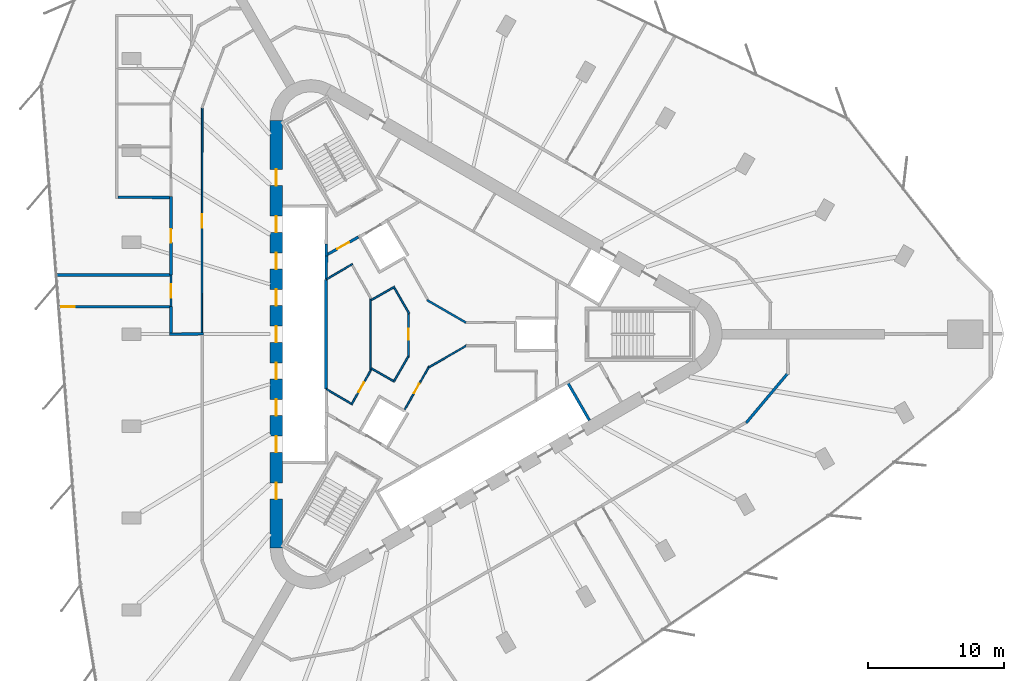
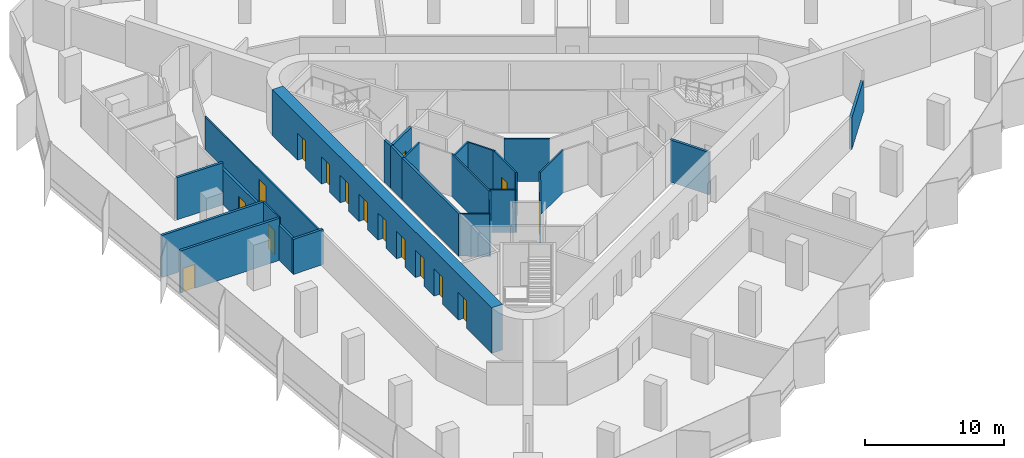
# One storey, part 9 of 13: 27 walls, 17 doors, 17 openings.
"""IFC4 building model written with IfcOpenShell, lengths in metres."""

from ifc_helpers import new_model, si_unit, direction, frame, frame_2d, origin, place, context, subcontext, project, spatial, rectangle, extrude, material, layer, layer_set, type_object, element, fill, save


model = new_model("IFC4")

# Units and contexts
model_context = context("Model", 3, precision=1e-05, world=origin(), true_north=direction((0.0, 1.0)))
body_context = subcontext(model_context, "Body", "Model", "MODEL_VIEW")
ifc_project = project(units=[si_unit("LENGTHUNIT", "METRE"), si_unit("AREAUNIT", "SQUARE_METRE"), si_unit("VOLUMEUNIT", "CUBIC_METRE"), si_unit("PLANEANGLEUNIT", "RADIAN"), si_unit("MASSUNIT", "GRAM", prefix="KILO")], contexts=[model_context])

# Site, building, storey
site_placement = place(None, origin())
site = spatial("IfcSite", under=ifc_project, at=site_placement, CompositionType="ELEMENT")
building_placement = place(site_placement, origin())
building = spatial("IfcBuilding", under=site, at=building_placement, Name="Tanit Gate Tower", CompositionType="ELEMENT")
storey_placement = place(building_placement, frame((0.0, 0.0, 201.199951171875)))
storey = spatial("IfcBuildingStorey", under=building, at=storey_placement, Name="L44", CompositionType="ELEMENT", Elevation=201.199951171875)

# Wall, openings, doors
ifc_material_1 = material(Name="Concrete C50/60", Category="concrete")
ifc_layer_1 = layer(ifc_material_1, 0.89990234375)
ifc_layer_set_1 = layer_set([ifc_layer_1], Name="CORE WALL 900 C50/60")
wall_type_1 = type_object("IfcWallType", Name="CORE WALL 900 C50/60", PredefinedType="SHEAR", material=ifc_layer_set_1)
wall_1_placement = place(storey_placement, frame((-11.64990234375, 15.76171875, 0.0), z_axis=(0.0, 0.0, 1.0), x_axis=(0.0, -1.0, 0.0)))
wall_1 = element("IfcWall", 1, at=wall_1_placement, inside=storey, type_object=wall_type_1, Name="CORE WALL", PredefinedType="SHEAR", context=body_context, shape_type="SweptSolid", body=[
    extrude(rectangle(XDim=31.5234375, YDim=0.89990234375, at=frame_2d((15.76171875, 0.0))), origin(), (0.0, 0.0, 1.0), 4.0),
])
opening_1_placement = place(wall_1_placement, frame((7.061767578125, 0.0, 0.0)))
opening_1 = element("IfcOpeningElement", 2, at=opening_1_placement, cuts=wall_1, Name="Opening LDML1-S11", PredefinedType="OPENING", context=body_context, shape_type="SweptSolid", body=[
    extrude(rectangle(XDim=1.199951171875, YDim=2.39990234375, at=frame_2d((0.60009765625, 1.199951171875))), frame((0.0, 0.4599609375, 0.0), z_axis=(0.0, -1.0, 0.0), x_axis=(1.0, 0.0, 0.0)), (0.0, 0.0, 1.0), 0.919921875),
])
opening_2_placement = place(wall_1_placement, frame((9.76171875, 0.0, 0.0)))
opening_2 = element("IfcOpeningElement", 3, at=opening_2_placement, cuts=wall_1, Name="Opening LDML2-S11", PredefinedType="OPENING", context=body_context, shape_type="SweptSolid", body=[
    extrude(rectangle(XDim=1.199951171875, YDim=2.39990234375, at=frame_2d((0.60009765625, 1.199951171875))), frame((0.0, 0.4599609375, 0.0), z_axis=(0.0, -1.0, 0.0), x_axis=(1.0, 0.0, 0.0)), (0.0, 0.0, 1.0), 0.919921875),
])
opening_3_placement = place(wall_1_placement, frame((12.461669921875, 0.0, 0.0)))
opening_3 = element("IfcOpeningElement", 4, at=opening_3_placement, cuts=wall_1, Name="Opening LDML3-S11", PredefinedType="OPENING", context=body_context, shape_type="SweptSolid", body=[
    extrude(rectangle(XDim=1.199951171875, YDim=2.39990234375, at=frame_2d((0.60009765625, 1.199951171875))), frame((0.0, 0.4599609375, 0.0), z_axis=(0.0, -1.0, 0.0), x_axis=(1.0, 0.0, 0.0)), (0.0, 0.0, 1.0), 0.919921875),
])
opening_4_placement = place(wall_1_placement, frame((15.16162109375, 0.0, 0.0)))
opening_4 = element("IfcOpeningElement", 5, at=opening_4_placement, cuts=wall_1, Name="Opening LDML4-S11", PredefinedType="OPENING", context=body_context, shape_type="SweptSolid", body=[
    extrude(rectangle(XDim=1.199951171875, YDim=2.39990234375, at=frame_2d((0.60009765625, 1.199951171875))), frame((0.0, 0.4599609375, 0.0), z_axis=(0.0, -1.0, 0.0), x_axis=(1.0, 0.0, 0.0)), (0.0, 0.0, 1.0), 0.919921875),
])
opening_5_placement = place(wall_1_placement, frame((17.86181640625, 0.0, 0.0)))
opening_5 = element("IfcOpeningElement", 6, at=opening_5_placement, cuts=wall_1, Name="Opening LDML5-S11", PredefinedType="OPENING", context=body_context, shape_type="SweptSolid", body=[
    extrude(rectangle(XDim=1.199951171875, YDim=2.39990234375, at=frame_2d((0.60009765625, 1.199951171875))), frame((0.0, 0.4599609375, 0.0), z_axis=(0.0, -1.0, 0.0), x_axis=(1.0, 0.0, 0.0)), (0.0, 0.0, 1.0), 0.919921875),
])
opening_6_placement = place(wall_1_placement, frame((20.561767578125, 0.0, 0.0)))
opening_6 = element("IfcOpeningElement", 7, at=opening_6_placement, cuts=wall_1, Name="Opening LDML6-S11", PredefinedType="OPENING", context=body_context, shape_type="SweptSolid", body=[
    extrude(rectangle(XDim=1.199951171875, YDim=2.39990234375, at=frame_2d((0.60009765625, 1.199951171875))), frame((0.0, 0.4599609375, 0.0), z_axis=(0.0, -1.0, 0.0), x_axis=(1.0, 0.0, 0.0)), (0.0, 0.0, 1.0), 0.919921875),
])
opening_7_placement = place(wall_1_placement, frame((23.26171875, 0.0, 0.0)))
opening_7 = element("IfcOpeningElement", 8, at=opening_7_placement, cuts=wall_1, Name="Opening LDML7-S11", PredefinedType="OPENING", context=body_context, shape_type="SweptSolid", body=[
    extrude(rectangle(XDim=1.199951171875, YDim=2.39990234375, at=frame_2d((0.60009765625, 1.199951171875))), frame((0.0, 0.4599609375, 0.0), z_axis=(0.0, -1.0, 0.0), x_axis=(1.0, 0.0, 0.0)), (0.0, 0.0, 1.0), 0.919921875),
])
opening_8_placement = place(wall_1_placement, frame((3.61181640625, 0.0, 0.0)))
opening_8 = element("IfcOpeningElement", 9, at=opening_8_placement, cuts=wall_1, Name="Opening F12-S11-FL2", PredefinedType="OPENING", context=body_context, shape_type="SweptSolid", body=[
    extrude(rectangle(XDim=1.199951171875, YDim=2.39990234375, at=frame_2d((0.60009765625, 1.199951171875))), frame((0.0, 0.4599609375, 0.0), z_axis=(0.0, -1.0, 0.0), x_axis=(1.0, 0.0, 0.0)), (0.0, 0.0, 1.0), 0.919921875),
])
opening_9_placement = place(wall_1_placement, frame((26.711669921875, 0.0, 0.0)))
opening_9 = element("IfcOpeningElement", 10, at=opening_9_placement, cuts=wall_1, Name="Opening F12-S11-S3", PredefinedType="OPENING", context=body_context, shape_type="SweptSolid", body=[
    extrude(rectangle(XDim=1.199951171875, YDim=2.39990234375, at=frame_2d((0.60009765625, 1.199951171875))), frame((0.0, 0.4599609375, 0.0), z_axis=(0.0, -1.0, 0.0), x_axis=(1.0, 0.0, 0.0)), (0.0, 0.0, 1.0), 0.919921875),
])
ifc_material_2 = material(Name="Fire-rated steel door leaf", Category="steel")
door_type_1 = type_object("IfcDoorType", Name="INT-DOOR-FIRE-LOBBY-1200", OperationType="NOTDEFINED", PredefinedType="USERDEFINED", material=ifc_material_2)
door_1_placement = place(opening_8_placement, origin())
door_1 = element("IfcDoor", 11, at=door_1_placement, inside=storey, type_object=door_type_1, Name="Door F12-S11-FL2", ObjectType="FIRE DOOR", OperationType="SINGLE_SWING_LEFT", OverallHeight=2.39990234375, OverallWidth=1.199951171875, PredefinedType="USERDEFINED", context=body_context, shape_type="SweptSolid", body=[
    extrude(rectangle(XDim=1.199951171875, YDim=2.39990234375, at=frame_2d((0.60009765625, 1.199951171875))), frame((0.0, 0.02490234375, 0.0), z_axis=(0.0, -1.0, 0.0), x_axis=(1.0, 0.0, 0.0)), (0.0, 0.0, 1.0), 0.050048828125),
])
fill(opening_8, door_1)
door_2_placement = place(opening_9_placement, origin())
door_2 = element("IfcDoor", 12, at=door_2_placement, inside=storey, type_object=door_type_1, Name="Door F12-S11-S3", ObjectType="FIRE DOOR", OperationType="SINGLE_SWING_RIGHT", OverallHeight=2.39990234375, OverallWidth=1.199951171875, PredefinedType="USERDEFINED", context=body_context, shape_type="SweptSolid", body=[
    extrude(rectangle(XDim=1.199951171875, YDim=2.39990234375, at=frame_2d((0.60009765625, 1.199951171875))), frame((0.0, 0.02490234375, 0.0), z_axis=(0.0, -1.0, 0.0), x_axis=(1.0, 0.0, 0.0)), (0.0, 0.0, 1.0), 0.050048828125),
])
fill(opening_9, door_2)
ifc_material_3 = material(Name="Stainless steel sliding door leaf", Category="steel")
door_type_2 = type_object("IfcDoorType", Name="INT-DOOR-LANDING-1200", OperationType="NOTDEFINED", PredefinedType="USERDEFINED", material=ifc_material_3)
door_3_placement = place(opening_1_placement, origin())
door_3 = element("IfcDoor", 13, at=door_3_placement, inside=storey, type_object=door_type_2, Name="Door LDML1-S11", ObjectType="LANDING DOOR", OperationType="SLIDING_TO_LEFT", OverallHeight=2.39990234375, OverallWidth=1.199951171875, PredefinedType="USERDEFINED", context=body_context, shape_type="SweptSolid", body=[
    extrude(rectangle(XDim=1.199951171875, YDim=2.39990234375, at=frame_2d((0.60009765625, 1.199951171875))), frame((0.0, 0.02490234375, 0.0), z_axis=(0.0, -1.0, 0.0), x_axis=(1.0, 0.0, 0.0)), (0.0, 0.0, 1.0), 0.050048828125),
])
fill(opening_1, door_3)
door_4_placement = place(opening_2_placement, origin())
door_4 = element("IfcDoor", 14, at=door_4_placement, inside=storey, type_object=door_type_2, Name="Door LDML2-S11", ObjectType="LANDING DOOR", OperationType="SLIDING_TO_LEFT", OverallHeight=2.39990234375, OverallWidth=1.199951171875, PredefinedType="USERDEFINED", context=body_context, shape_type="SweptSolid", body=[
    extrude(rectangle(XDim=1.199951171875, YDim=2.39990234375, at=frame_2d((0.60009765625, 1.199951171875))), frame((0.0, 0.02490234375, 0.0), z_axis=(0.0, -1.0, 0.0), x_axis=(1.0, 0.0, 0.0)), (0.0, 0.0, 1.0), 0.050048828125),
])
fill(opening_2, door_4)
door_5_placement = place(opening_3_placement, origin())
door_5 = element("IfcDoor", 15, at=door_5_placement, inside=storey, type_object=door_type_2, Name="Door LDML3-S11", ObjectType="LANDING DOOR", OperationType="SLIDING_TO_LEFT", OverallHeight=2.39990234375, OverallWidth=1.199951171875, PredefinedType="USERDEFINED", context=body_context, shape_type="SweptSolid", body=[
    extrude(rectangle(XDim=1.199951171875, YDim=2.39990234375, at=frame_2d((0.60009765625, 1.199951171875))), frame((0.0, 0.02490234375, 0.0), z_axis=(0.0, -1.0, 0.0), x_axis=(1.0, 0.0, 0.0)), (0.0, 0.0, 1.0), 0.050048828125),
])
fill(opening_3, door_5)
door_6_placement = place(opening_4_placement, origin())
door_6 = element("IfcDoor", 16, at=door_6_placement, inside=storey, type_object=door_type_2, Name="Door LDML4-S11", ObjectType="LANDING DOOR", OperationType="SLIDING_TO_LEFT", OverallHeight=2.39990234375, OverallWidth=1.199951171875, PredefinedType="USERDEFINED", context=body_context, shape_type="SweptSolid", body=[
    extrude(rectangle(XDim=1.199951171875, YDim=2.39990234375, at=frame_2d((0.60009765625, 1.199951171875))), frame((0.0, 0.02490234375, 0.0), z_axis=(0.0, -1.0, 0.0), x_axis=(1.0, 0.0, 0.0)), (0.0, 0.0, 1.0), 0.050048828125),
])
fill(opening_4, door_6)
door_7_placement = place(opening_5_placement, origin())
door_7 = element("IfcDoor", 17, at=door_7_placement, inside=storey, type_object=door_type_2, Name="Door LDML5-S11", ObjectType="LANDING DOOR", OperationType="SLIDING_TO_LEFT", OverallHeight=2.39990234375, OverallWidth=1.199951171875, PredefinedType="USERDEFINED", context=body_context, shape_type="SweptSolid", body=[
    extrude(rectangle(XDim=1.199951171875, YDim=2.39990234375, at=frame_2d((0.60009765625, 1.199951171875))), frame((0.0, 0.02490234375, 0.0), z_axis=(0.0, -1.0, 0.0), x_axis=(1.0, 0.0, 0.0)), (0.0, 0.0, 1.0), 0.050048828125),
])
fill(opening_5, door_7)
door_8_placement = place(opening_6_placement, origin())
door_8 = element("IfcDoor", 18, at=door_8_placement, inside=storey, type_object=door_type_2, Name="Door LDML6-S11", ObjectType="LANDING DOOR", OperationType="SLIDING_TO_LEFT", OverallHeight=2.39990234375, OverallWidth=1.199951171875, PredefinedType="USERDEFINED", context=body_context, shape_type="SweptSolid", body=[
    extrude(rectangle(XDim=1.199951171875, YDim=2.39990234375, at=frame_2d((0.60009765625, 1.199951171875))), frame((0.0, 0.02490234375, 0.0), z_axis=(0.0, -1.0, 0.0), x_axis=(1.0, 0.0, 0.0)), (0.0, 0.0, 1.0), 0.050048828125),
])
fill(opening_6, door_8)
door_9_placement = place(opening_7_placement, origin())
door_9 = element("IfcDoor", 19, at=door_9_placement, inside=storey, type_object=door_type_2, Name="Door LDML7-S11", ObjectType="LANDING DOOR", OperationType="SLIDING_TO_LEFT", OverallHeight=2.39990234375, OverallWidth=1.199951171875, PredefinedType="USERDEFINED", context=body_context, shape_type="SweptSolid", body=[
    extrude(rectangle(XDim=1.199951171875, YDim=2.39990234375, at=frame_2d((0.60009765625, 1.199951171875))), frame((0.0, 0.02490234375, 0.0), z_axis=(0.0, -1.0, 0.0), x_axis=(1.0, 0.0, 0.0)), (0.0, 0.0, 1.0), 0.050048828125),
])
fill(opening_7, door_9)

# Wall, opening, door
ifc_material_4 = material(Name="Fire-rated gypsum board partition")
ifc_layer_2 = layer(ifc_material_4, 0.199951171875)
ifc_layer_set_2 = layer_set([ifc_layer_2], Name="INT-WALL-COMPARTMENT")
wall_type_2 = type_object("IfcWallType", Name="INT-WALL-COMPARTMENT", PredefinedType="PARTITIONING", material=ifc_layer_set_2)
wall_2_placement = place(storey_placement, frame((-5.600341796875, 7.16015625, 0.0), z_axis=(0.0, 0.0, 1.0), x_axis=(-0.871363259478, -0.490638431059, 0.0)))
wall_2 = element("IfcWall", 20, at=wall_2_placement, inside=storey, type_object=wall_type_2, Name="Wall Compartment W060", PredefinedType="PARTITIONING", context=body_context, shape_type="SweptSolid", body=[
    extrude(rectangle(XDim=2.5810546875, YDim=0.199951171875, at=frame_2d((1.29052734375, 0.0))), origin(), (0.0, 0.0, 1.0), 3.699951171875),
])
opening_10_placement = place(wall_2_placement, frame((0.79052734375, 0.0, 0.0)))
opening_10 = element("IfcOpeningElement", 21, at=opening_10_placement, cuts=wall_2, Name="Opening F10-S11-05", PredefinedType="OPENING", context=body_context, shape_type="SweptSolid", body=[
    extrude(rectangle(XDim=1.0, YDim=2.10009765625, at=frame_2d((0.5, 1.050048828125))), frame((0.0, 0.10986328125, 0.0), z_axis=(0.0, -1.0, 0.0), x_axis=(1.0, 0.0, 0.0)), (0.0, 0.0, 1.0), 0.219970703125),
])
ifc_material_5 = material(Name="Fire-rated steel door leaf", Category="steel")
door_type_3 = type_object("IfcDoorType", Name="INT-DOOR-FIRE-1000", OperationType="NOTDEFINED", PredefinedType="USERDEFINED", material=ifc_material_5)
door_10_placement = place(opening_10_placement, origin())
door_10 = element("IfcDoor", 22, at=door_10_placement, inside=storey, type_object=door_type_3, Name="Door F10-S11-05", ObjectType="FIRE DOOR", OperationType="SINGLE_SWING_LEFT", OverallHeight=2.10009765625, OverallWidth=1.0, PredefinedType="USERDEFINED", context=body_context, shape_type="SweptSolid", body=[
    extrude(rectangle(XDim=1.0, YDim=2.10009765625, at=frame_2d((0.5, 1.050048828125))), frame((0.0, 0.02490234375, 0.0), z_axis=(0.0, -1.0, 0.0), x_axis=(1.0, 0.0, 0.0)), (0.0, 0.0, 1.0), 0.050048828125),
])
fill(opening_10, door_10)

# Wall
wall_3_placement = place(storey_placement, frame((-19.5, -0.001220703125, 0.0), z_axis=(0.0, 0.0, 1.0), x_axis=(0.999915662945, 0.012987185857, 0.0)))
element("IfcWall", 23, at=wall_3_placement, inside=storey, type_object=wall_type_2, Name="Wall Compartment W086", PredefinedType="PARTITIONING", context=body_context, shape_type="SweptSolid", body=[
    extrude(rectangle(XDim=2.500244140625, YDim=0.199951171875, at=frame_2d((1.25, 0.0))), origin(), (0.0, 0.0, 1.0), 3.070068359375),
])

# Wall, opening, door
wall_4_placement = place(storey_placement, frame((-19.39990234375, 10.1298828125, 0.0), z_axis=(0.0, 0.0, 1.0), x_axis=(0.0, -1.0, 0.0)))
wall_4 = element("IfcWall", 24, at=wall_4_placement, inside=storey, type_object=wall_type_2, Name="Wall Compartment W088", PredefinedType="PARTITIONING", context=body_context, shape_type="SweptSolid", body=[
    extrude(rectangle(XDim=5.77978515625, YDim=0.199951171875, at=frame_2d((2.889892578125, 0.0))), origin(), (0.0, 0.0, 1.0), 3.070068359375),
])
opening_11_placement = place(wall_4_placement, frame((2.3798828125, 0.0, 0.0)))
opening_11 = element("IfcOpeningElement", 25, at=opening_11_placement, cuts=wall_4, Name="Opening F10-S11-26", PredefinedType="OPENING", context=body_context, shape_type="SweptSolid", body=[
    extrude(rectangle(XDim=1.0, YDim=2.10009765625, at=frame_2d((0.5, 1.050048828125))), frame((0.0, 0.10986328125, 0.0), z_axis=(0.0, -1.0, 0.0), x_axis=(1.0, 0.0, 0.0)), (0.0, 0.0, 1.0), 0.219970703125),
])
door_11_placement = place(opening_11_placement, origin())
door_11 = element("IfcDoor", 26, at=door_11_placement, inside=storey, type_object=door_type_3, Name="Door F10-S11-26", ObjectType="FIRE DOOR", OperationType="SINGLE_SWING_RIGHT", OverallHeight=2.10009765625, OverallWidth=1.0, PredefinedType="USERDEFINED", context=body_context, shape_type="SweptSolid", body=[
    extrude(rectangle(XDim=1.0, YDim=2.10009765625, at=frame_2d((0.5, 1.050048828125))), frame((0.0, 0.02490234375, 0.0), z_axis=(0.0, -1.0, 0.0), x_axis=(1.0, 0.0, 0.0)), (0.0, 0.0, 1.0), 0.050048828125),
])
fill(opening_11, door_11)

# Walls
wall_5_placement = place(storey_placement, frame((-19.39990234375, 2.050048828125, 0.0), z_axis=(0.0, 0.0, 1.0), x_axis=(0.0, -1.0, 0.0)))
element("IfcWall", 27, at=wall_5_placement, inside=storey, type_object=wall_type_2, Name="Wall Compartment W087", PredefinedType="PARTITIONING", context=body_context, shape_type="SweptSolid", body=[
    extrude(rectangle(XDim=1.949951171875, YDim=0.199951171875, at=frame_2d((0.97509765625, 0.0))), origin(), (0.0, 0.0, 1.0), 3.070068359375),
])
wall_6_placement = place(storey_placement, frame((22.968017578125, -6.5244140625, 0.0), z_axis=(0.0, 0.0, 1.0), x_axis=(0.642764400317, 0.766063917493, 0.0)))
element("IfcWall", 28, at=wall_6_placement, inside=storey, type_object=wall_type_2, Name="Wall Compartment W109", PredefinedType="PARTITIONING", context=body_context, shape_type="SweptSolid", body=[
    extrude(rectangle(XDim=4.740234375, YDim=0.199951171875, at=frame_2d((2.3701171875, 0.0))), origin(), (0.0, 0.0, 1.0), 2.780029296875),
])

# Wall, opening, door
wall_7_placement = place(storey_placement, frame((-27.681396484375, 2.02978515625, 0.0), z_axis=(0.0, 0.0, 1.0), x_axis=(0.999999999559, 2.969562e-05, 0.0)))
wall_7 = element("IfcWall", 29, at=wall_7_placement, inside=storey, type_object=wall_type_2, Name="Wall Compartment W115", PredefinedType="PARTITIONING", context=body_context, shape_type="SweptSolid", body=[
    extrude(rectangle(XDim=8.221435546875, YDim=0.199951171875, at=frame_2d((4.11083984375, 0.0))), origin(), (0.0, 0.0, 1.0), 3.699951171875),
])
opening_12_placement = place(wall_7_placement, frame((0.199951171875, 0.0, 0.0)))
opening_12 = element("IfcOpeningElement", 30, at=opening_12_placement, cuts=wall_7, Name="Opening F10-S11-25", PredefinedType="OPENING", context=body_context, shape_type="SweptSolid", body=[
    extrude(rectangle(XDim=1.0, YDim=2.10009765625, at=frame_2d((0.5, 1.050048828125))), frame((0.0, 0.10986328125, 0.0), z_axis=(0.0, -1.0, 0.0), x_axis=(1.0, 0.0, 0.0)), (0.0, 0.0, 1.0), 0.219970703125),
])
door_12_placement = place(opening_12_placement, origin())
door_12 = element("IfcDoor", 31, at=door_12_placement, inside=storey, type_object=door_type_3, Name="Door F10-S11-25", ObjectType="FIRE DOOR", OperationType="SINGLE_SWING_RIGHT", OverallHeight=2.10009765625, OverallWidth=1.0, PredefinedType="USERDEFINED", context=body_context, shape_type="SweptSolid", body=[
    extrude(rectangle(XDim=1.0, YDim=2.10009765625, at=frame_2d((0.5, 1.050048828125))), frame((0.0, 0.02490234375, 0.0), z_axis=(0.0, -1.0, 0.0), x_axis=(1.0, 0.0, 0.0)), (0.0, 0.0, 1.0), 0.050048828125),
])
fill(opening_12, door_12)

# Walls
wall_8_placement = place(storey_placement, frame((-19.4599609375, 4.3701171875, 0.0), z_axis=(0.0, 0.0, 1.0), x_axis=(-1.0, 0.0, 0.0)))
element("IfcWall", 32, at=wall_8_placement, inside=storey, type_object=wall_type_2, Name="Wall Compartment W116", PredefinedType="PARTITIONING", context=body_context, shape_type="SweptSolid", body=[
    extrude(rectangle(XDim=8.404296875, YDim=0.199951171875, at=frame_2d((4.2021484375, 0.0))), origin(), (0.0, 0.0, 1.0), 3.699951171875),
])
wall_9_placement = place(storey_placement, frame((-23.300048828125, 10.099365234375, 0.0), z_axis=(0.0, 0.0, 1.0), x_axis=(0.999971749569, -0.007516652406, 0.0)))
element("IfcWall", 33, at=wall_9_placement, inside=storey, type_object=wall_type_2, Name="Wall Compartment W122", PredefinedType="PARTITIONING", context=body_context, shape_type="SweptSolid", body=[
    extrude(rectangle(XDim=3.800048828125, YDim=0.199951171875, at=frame_2d((1.89990234375, 0.0))), origin(), (0.0, 0.0, 1.0), 3.699951171875),
])

# Wall, opening, door
ifc_material_6 = material(Name="Gypsum board partition")
ifc_layer_3 = layer(ifc_material_6, 0.1201171875)
ifc_layer_set_3 = layer_set([ifc_layer_3], Name="INT-WALL-PARTITION")
wall_type_3 = type_object("IfcWallType", Name="INT-WALL-PARTITION", PredefinedType="PARTITIONING", material=ifc_layer_set_3)
wall_10_placement = place(storey_placement, frame((-0.3828125, -2.361328125, 0.0), z_axis=(0.0, 0.0, 1.0), x_axis=(-0.492992395315, -0.870033618983, 0.0)))
wall_10 = element("IfcWall", 34, at=wall_10_placement, inside=storey, type_object=wall_type_3, Name="Wall Partition W066", PredefinedType="PARTITIONING", context=body_context, shape_type="SweptSolid", body=[
    extrude(rectangle(XDim=3.66357421875, YDim=0.1201171875, at=frame_2d((1.831787109375, 0.0))), origin(), (0.0, 0.0, 1.0), 3.699951171875),
])
opening_13_placement = place(wall_10_placement, frame((1.48291015625, 0.0, 0.0)))
opening_13 = element("IfcOpeningElement", 35, at=opening_13_placement, cuts=wall_10, Name="Opening R08-S11-11", PredefinedType="OPENING", context=body_context, shape_type="SweptSolid", body=[
    extrude(rectangle(XDim=0.800048828125, YDim=2.10009765625, at=frame_2d((0.39990234375, 1.050048828125))), frame((0.0, 0.070068359375, 0.0), z_axis=(0.0, -1.0, 0.0), x_axis=(1.0, 0.0, 0.0)), (0.0, 0.0, 1.0), 0.14013671875),
])
ifc_material_7 = material(Name="Timber door leaf", Category="wood")
door_type_4 = type_object("IfcDoorType", Name="INT-DOOR-RISER-800", OperationType="NOTDEFINED", PredefinedType="USERDEFINED", material=ifc_material_7)
door_13_placement = place(opening_13_placement, origin())
door_13 = element("IfcDoor", 36, at=door_13_placement, inside=storey, type_object=door_type_4, Name="Door R08-S11-11", ObjectType="FIRE DOOR", OperationType="SINGLE_SWING_LEFT", OverallHeight=2.10009765625, OverallWidth=0.800048828125, PredefinedType="USERDEFINED", context=body_context, shape_type="SweptSolid", body=[
    extrude(rectangle(XDim=0.800048828125, YDim=2.10009765625, at=frame_2d((0.39990234375, 1.050048828125))), frame((0.0, 0.02490234375, 0.0), z_axis=(0.0, -1.0, 0.0), x_axis=(1.0, 0.0, 0.0)), (0.0, 0.0, 1.0), 0.050048828125),
])
fill(opening_13, door_13)

# Walls
wall_11_placement = place(storey_placement, frame((2.42822265625, -0.798095703125, 0.0), z_axis=(0.0, 0.0, 1.0), x_axis=(-0.866034586814, -0.499984094189, 0.0)))
element("IfcWall", 37, at=wall_11_placement, inside=storey, type_object=wall_type_3, Name="Wall Partition W067", PredefinedType="PARTITIONING", context=body_context, shape_type="SweptSolid", body=[
    extrude(rectangle(XDim=3.28466796875, YDim=0.1201171875, at=frame_2d((1.642333984375, 0.0))), origin(), (0.0, 0.0, 1.0), 3.699951171875),
])
wall_12_placement = place(storey_placement, frame((-4.700927734375, -2.7421875, 0.0), z_axis=(0.0, 0.0, 1.0), x_axis=(0.0, 1.0, 0.0)))
element("IfcWall", 38, at=wall_12_placement, inside=storey, type_object=wall_type_3, Name="Wall Partition W072", PredefinedType="PARTITIONING", context=body_context, shape_type="SweptSolid", body=[
    extrude(rectangle(XDim=5.484375, YDim=0.1201171875, at=frame_2d((2.7421875, 0.0))), origin(), (0.0, 0.0, 1.0), 3.699951171875),
])

# Wall, opening, door
wall_13_placement = place(storey_placement, frame((-6.11767578125, -5.197509765625, 0.0), z_axis=(0.0, 0.0, 1.0), x_axis=(0.491036167924, 0.871139186233, 0.0)))
wall_13 = element("IfcWall", 39, at=wall_13_placement, inside=storey, type_object=wall_type_3, Name="Wall Partition W073", PredefinedType="PARTITIONING", context=body_context, shape_type="SweptSolid", body=[
    extrude(rectangle(XDim=2.916015625, YDim=0.1201171875, at=frame_2d((1.4580078125, 0.0))), origin(), (0.0, 0.0, 1.0), 3.699951171875),
])
opening_14_placement = place(wall_13_placement, frame((1.088134765625, 0.0, 0.0)))
opening_14 = element("IfcOpeningElement", 40, at=opening_14_placement, cuts=wall_13, Name="Opening R08-S11-12", PredefinedType="OPENING", context=body_context, shape_type="SweptSolid", body=[
    extrude(rectangle(XDim=0.800048828125, YDim=2.10009765625, at=frame_2d((0.39990234375, 1.050048828125))), frame((0.0, 0.070068359375, 0.0), z_axis=(0.0, -1.0, 0.0), x_axis=(1.0, 0.0, 0.0)), (0.0, 0.0, 1.0), 0.14013671875),
])
door_14_placement = place(opening_14_placement, origin())
door_14 = element("IfcDoor", 41, at=door_14_placement, inside=storey, type_object=door_type_4, Name="Door R08-S11-12", ObjectType="FIRE DOOR", OperationType="SINGLE_SWING_RIGHT", OverallHeight=2.10009765625, OverallWidth=0.800048828125, PredefinedType="USERDEFINED", context=body_context, shape_type="SweptSolid", body=[
    extrude(rectangle(XDim=0.800048828125, YDim=2.10009765625, at=frame_2d((0.39990234375, 1.050048828125))), frame((0.0, 0.02490234375, 0.0), z_axis=(0.0, -1.0, 0.0), x_axis=(1.0, 0.0, 0.0)), (0.0, 0.0, 1.0), 0.050048828125),
])
fill(opening_14, door_14)

# Walls
wall_14_placement = place(storey_placement, frame((-7.949951171875, -4.041015625, 0.0), z_axis=(0.0, 0.0, 1.0), x_axis=(0.860112457103, -0.510104461004, 0.0)))
element("IfcWall", 42, at=wall_14_placement, inside=storey, type_object=wall_type_3, Name="Wall Partition W074", PredefinedType="PARTITIONING", context=body_context, shape_type="SweptSolid", body=[
    extrude(rectangle(XDim=2.1044921875, YDim=0.1201171875, at=frame_2d((1.05224609375, 0.0))), origin(), (0.0, 0.0, 1.0), 3.699951171875),
])
wall_15_placement = place(storey_placement, frame((-6.03662109375, 5.17578125, 0.0), z_axis=(0.0, 0.0, 1.0), x_axis=(-0.860106072674, -0.510115225953, 0.0)))
element("IfcWall", 43, at=wall_15_placement, inside=storey, type_object=wall_type_3, Name="Wall Partition W075", PredefinedType="PARTITIONING", context=body_context, shape_type="SweptSolid", body=[
    extrude(rectangle(XDim=2.224609375, YDim=0.1201171875, at=frame_2d((1.1123046875, 0.0))), origin(), (0.0, 0.0, 1.0), 3.699951171875),
])
wall_16_placement = place(storey_placement, frame((-2.93408203125, 3.502197265625, 0.0), z_axis=(0.0, 0.0, 1.0), x_axis=(-0.866039121236, -0.499976239924, 0.0)))
element("IfcWall", 44, at=wall_16_placement, inside=storey, type_object=wall_type_3, Name="Wall Partition W077", PredefinedType="PARTITIONING", context=body_context, shape_type="SweptSolid", body=[
    extrude(rectangle(XDim=1.970703125, YDim=0.1201171875, at=frame_2d((0.9853515625, 0.0))), origin(), (0.0, 0.0, 1.0), 3.699951171875),
])
wall_17_placement = place(storey_placement, frame((-1.853271484375, 1.510009765625, 0.0), z_axis=(0.0, 0.0, 1.0), x_axis=(-0.499984350684, 0.866034438732, 0.0)))
element("IfcWall", 45, at=wall_17_placement, inside=storey, type_object=wall_type_3, Name="Wall Partition W078", PredefinedType="PARTITIONING", context=body_context, shape_type="SweptSolid", body=[
    extrude(rectangle(XDim=2.20556640625, YDim=0.1201171875, at=frame_2d((1.102783203125, 0.0))), origin(), (0.0, 0.0, 1.0), 3.699951171875),
])

# Wall, opening, door
wall_18_placement = place(storey_placement, frame((-1.9052734375, -1.703857421875, 0.0), z_axis=(0.0, 0.0, 1.0), x_axis=(0.0, 1.0, 0.0)))
wall_18 = element("IfcWall", 46, at=wall_18_placement, inside=storey, type_object=wall_type_3, Name="Wall Partition W079", PredefinedType="PARTITIONING", context=body_context, shape_type="SweptSolid", body=[
    extrude(rectangle(XDim=3.285400390625, YDim=0.1201171875, at=frame_2d((1.642578125, 0.0))), origin(), (0.0, 0.0, 1.0), 3.699951171875),
])
opening_15_placement = place(wall_18_placement, frame((1.294677734375, 0.0, 0.0)))
opening_15 = element("IfcOpeningElement", 47, at=opening_15_placement, cuts=wall_18, Name="Opening R08-S11-13", PredefinedType="OPENING", context=body_context, shape_type="SweptSolid", body=[
    extrude(rectangle(XDim=0.800048828125, YDim=2.10009765625, at=frame_2d((0.39990234375, 1.050048828125))), frame((0.0, 0.070068359375, 0.0), z_axis=(0.0, -1.0, 0.0), x_axis=(1.0, 0.0, 0.0)), (0.0, 0.0, 1.0), 0.14013671875),
])
door_15_placement = place(opening_15_placement, origin())
door_15 = element("IfcDoor", 48, at=door_15_placement, inside=storey, type_object=door_type_4, Name="Door R08-S11-13", ObjectType="FIRE DOOR", OperationType="SINGLE_SWING_RIGHT", OverallHeight=2.10009765625, OverallWidth=0.800048828125, PredefinedType="USERDEFINED", context=body_context, shape_type="SweptSolid", body=[
    extrude(rectangle(XDim=0.800048828125, YDim=2.10009765625, at=frame_2d((0.39990234375, 1.050048828125))), frame((0.0, 0.02490234375, 0.0), z_axis=(0.0, -1.0, 0.0), x_axis=(1.0, 0.0, 0.0)), (0.0, 0.0, 1.0), 0.050048828125),
])
fill(opening_15, door_15)

# Walls
wall_19_placement = place(storey_placement, frame((-3.01611328125, -3.524169921875, 0.0), z_axis=(0.0, 0.0, 1.0), x_axis=(0.499952654668, 0.866052736899, 0.0)))
element("IfcWall", 49, at=wall_19_placement, inside=storey, type_object=wall_type_3, Name="Wall Partition W080", PredefinedType="PARTITIONING", context=body_context, shape_type="SweptSolid", body=[
    extrude(rectangle(XDim=2.203369140625, YDim=0.1201171875, at=frame_2d((1.1015625, 0.0))), origin(), (0.0, 0.0, 1.0), 3.699951171875),
])
wall_20_placement = place(storey_placement, frame((-4.640869140625, -2.516845703125, 0.0), z_axis=(0.0, 0.0, 1.0), x_axis=(0.866042797968, -0.49996987118, 0.0)))
element("IfcWall", 50, at=wall_20_placement, inside=storey, type_object=wall_type_3, Name="Wall Partition W081", PredefinedType="PARTITIONING", context=body_context, shape_type="SweptSolid", body=[
    extrude(rectangle(XDim=1.8505859375, YDim=0.1201171875, at=frame_2d((0.92529296875, 0.0))), origin(), (0.0, 0.0, 1.0), 3.699951171875),
])

# Wall, opening, door
wall_21_placement = place(storey_placement, frame((-17.1298828125, 0.0, 0.0), z_axis=(0.0, 0.0, 1.0), x_axis=(0.001787542932, 0.999998402344, 0.0)))
wall_21 = element("IfcWall", 51, at=wall_21_placement, inside=storey, type_object=wall_type_3, Name="Wall Partition W084", PredefinedType="PARTITIONING", context=body_context, shape_type="SweptSolid", body=[
    extrude(rectangle(XDim=16.66259765625, YDim=0.1201171875, at=frame_2d((8.331298828125, 0.0))), origin(), (0.0, 0.0, 1.0), 2.880126953125),
])
opening_16_placement = place(wall_21_placement, frame((7.831298828125, 0.0, 0.0)))
opening_16 = element("IfcOpeningElement", 52, at=opening_16_placement, cuts=wall_21, Name="Opening D10-S11-17", PredefinedType="OPENING", context=body_context, shape_type="SweptSolid", body=[
    extrude(rectangle(XDim=1.0, YDim=2.10009765625, at=frame_2d((0.5, 1.050048828125))), frame((0.0, 0.070068359375, 0.0), z_axis=(0.0, -1.0, 0.0), x_axis=(1.0, 0.0, 0.0)), (0.0, 0.0, 1.0), 0.14013671875),
])
ifc_material_8 = material(Name="Timber door leaf", Category="wood")
door_type_5 = type_object("IfcDoorType", Name="INT-DOOR-SINGLE-1000", OperationType="NOTDEFINED", PredefinedType="NOTDEFINED", material=ifc_material_8)
door_16_placement = place(opening_16_placement, origin())
door_16 = element("IfcDoor", 53, at=door_16_placement, inside=storey, type_object=door_type_5, Name="Door D10-S11-17", OperationType="SINGLE_SWING_RIGHT", OverallHeight=2.10009765625, OverallWidth=1.0, PredefinedType="NOTDEFINED", context=body_context, shape_type="SweptSolid", body=[
    extrude(rectangle(XDim=1.0, YDim=2.10009765625, at=frame_2d((0.5, 1.050048828125))), frame((0.0, 0.02490234375, 0.0), z_axis=(0.0, -1.0, 0.0), x_axis=(1.0, 0.0, 0.0)), (0.0, 0.0, 1.0), 0.050048828125),
])
fill(opening_16, door_16)

wall_22_placement = place(storey_placement, frame((-19.39990234375, 4.35009765625, 0.0), z_axis=(0.0, 0.0, 1.0), x_axis=(0.0, -1.0, 0.0)))
wall_22 = element("IfcWall", 54, at=wall_22_placement, inside=storey, type_object=wall_type_3, Name="Wall Partition W085", PredefinedType="PARTITIONING", context=body_context, shape_type="SweptSolid", body=[
    extrude(rectangle(XDim=2.300048828125, YDim=0.1201171875, at=frame_2d((1.14990234375, 0.0))), origin(), (0.0, 0.0, 1.0), 3.699951171875),
])
opening_17_placement = place(wall_22_placement, frame((0.64990234375, 0.0, 0.0)))
opening_17 = element("IfcOpeningElement", 55, at=opening_17_placement, cuts=wall_22, Name="Opening D10-S11-18", PredefinedType="OPENING", context=body_context, shape_type="SweptSolid", body=[
    extrude(rectangle(XDim=1.0, YDim=2.10009765625, at=frame_2d((0.5, 1.050048828125))), frame((0.0, 0.070068359375, 0.0), z_axis=(0.0, -1.0, 0.0), x_axis=(1.0, 0.0, 0.0)), (0.0, 0.0, 1.0), 0.14013671875),
])
door_17_placement = place(opening_17_placement, origin())
door_17 = element("IfcDoor", 56, at=door_17_placement, inside=storey, type_object=door_type_5, Name="Door D10-S11-18", OperationType="SINGLE_SWING_LEFT", OverallHeight=2.10009765625, OverallWidth=1.0, PredefinedType="NOTDEFINED", context=body_context, shape_type="SweptSolid", body=[
    extrude(rectangle(XDim=1.0, YDim=2.10009765625, at=frame_2d((0.5, 1.050048828125))), frame((0.0, 0.02490234375, 0.0), z_axis=(0.0, -1.0, 0.0), x_axis=(1.0, 0.0, 0.0)), (0.0, 0.0, 1.0), 0.050048828125),
])
fill(opening_17, door_17)

# Walls
ifc_material_9 = material(Name="Fire-rated gypsum board partition")
ifc_layer_4 = layer(ifc_material_9, 0.14990234375)
ifc_layer_set_4 = layer_set([ifc_layer_4], Name="INT-WALL-RISER")
wall_type_4 = type_object("IfcWallType", Name="INT-WALL-RISER", PredefinedType="PLUMBINGWALL", material=ifc_layer_set_4)
wall_23_placement = place(storey_placement, frame((-0.54345703125, 2.513671875, 0.0), z_axis=(0.0, 0.0, 1.0), x_axis=(0.866042846705, -0.499969786758, 0.0)))
element("IfcWall", 57, at=wall_23_placement, inside=storey, type_object=wall_type_4, Name="Wall Riser W064", PredefinedType="PLUMBINGWALL", context=body_context, shape_type="SweptSolid", body=[
    extrude(rectangle(XDim=3.303955078125, YDim=0.14990234375, at=frame_2d((1.65185546875, 0.0))), origin(), (0.0, 0.0, 1.0), 3.699951171875),
])
ifc_material_10 = material(Name="Gypsum shaft wall system")
ifc_layer_5 = layer(ifc_material_10, 0.199951171875)
ifc_layer_set_5 = layer_set([ifc_layer_5], Name="INT-WALL-SHAFT")
wall_type_5 = type_object("IfcWallType", Name="INT-WALL-SHAFT", PredefinedType="PLUMBINGWALL", material=ifc_layer_set_5)
wall_24_placement = place(storey_placement, frame((-7.97705078125, 6.650146484375, 0.0), z_axis=(0.0, 0.0, 1.0), x_axis=(0.030861509705, -0.999523670164, 0.0)))
element("IfcWall", 58, at=wall_24_placement, inside=storey, type_object=wall_type_5, Name="Wall Shaft W003", PredefinedType="PLUMBINGWALL", context=body_context, shape_type="SweptSolid", body=[
    extrude(rectangle(XDim=0.878173828125, YDim=0.199951171875, at=frame_2d((0.43896484375, 0.0))), origin(), (0.0, 0.0, 1.0), 3.699951171875),
])
wall_25_placement = place(storey_placement, frame((-7.94921875, 5.894775390625, 0.0), z_axis=(0.0, 0.0, 1.0), x_axis=(-0.012042535896, -0.999927486035, 0.0)))
element("IfcWall", 59, at=wall_25_placement, inside=storey, type_object=wall_type_5, Name="Wall Shaft W004", PredefinedType="PLUMBINGWALL", context=body_context, shape_type="SweptSolid", body=[
    extrude(rectangle(XDim=1.844970703125, YDim=0.199951171875, at=frame_2d((0.92236328125, 0.0))), origin(), (0.0, 0.0, 1.0), 3.699951171875),
])
wall_26_placement = place(storey_placement, frame((-7.97998046875, 4.050048828125, 0.0), z_axis=(0.0, 0.0, 1.0), x_axis=(0.0, -1.0, 0.0)))
element("IfcWall", 60, at=wall_26_placement, inside=storey, type_object=wall_type_5, Name="Wall Shaft W005", PredefinedType="PLUMBINGWALL", context=body_context, shape_type="SweptSolid", body=[
    extrude(rectangle(XDim=8.10009765625, YDim=0.199951171875, at=frame_2d((4.050048828125, 0.0))), origin(), (0.0, 0.0, 1.0), 3.699951171875),
])
wall_27_placement = place(storey_placement, frame((9.794677734375, -3.52490234375, 0.0), z_axis=(0.0, 0.0, 1.0), x_axis=(0.499984717929, -0.866034226713, 0.0)))
element("IfcWall", 61, at=wall_27_placement, inside=storey, type_object=wall_type_5, Name="Wall Shaft W016", PredefinedType="PLUMBINGWALL", context=body_context, shape_type="SweptSolid", body=[
    extrude(rectangle(XDim=3.25, YDim=0.199951171875, at=frame_2d((1.625, 0.0))), origin(), (0.0, 0.0, 1.0), 3.699951171875),
])

save(model, "model.ifc")
